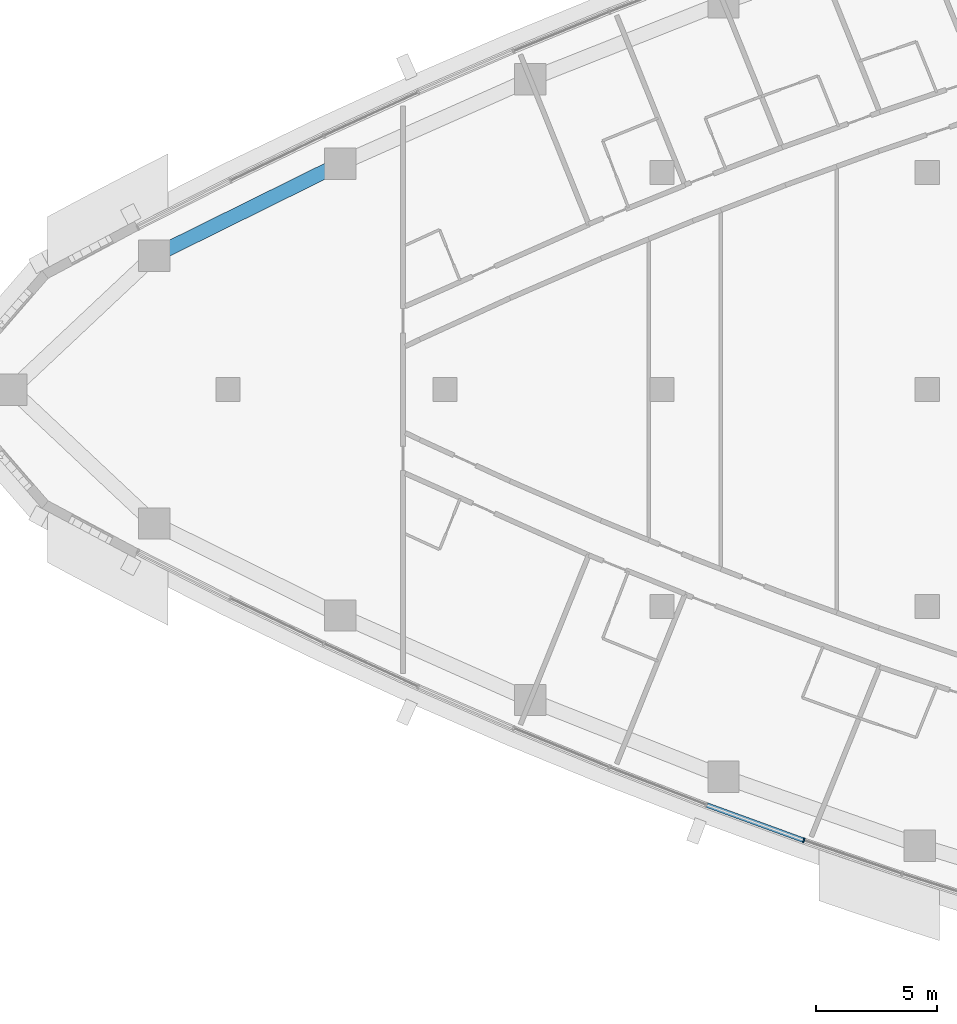
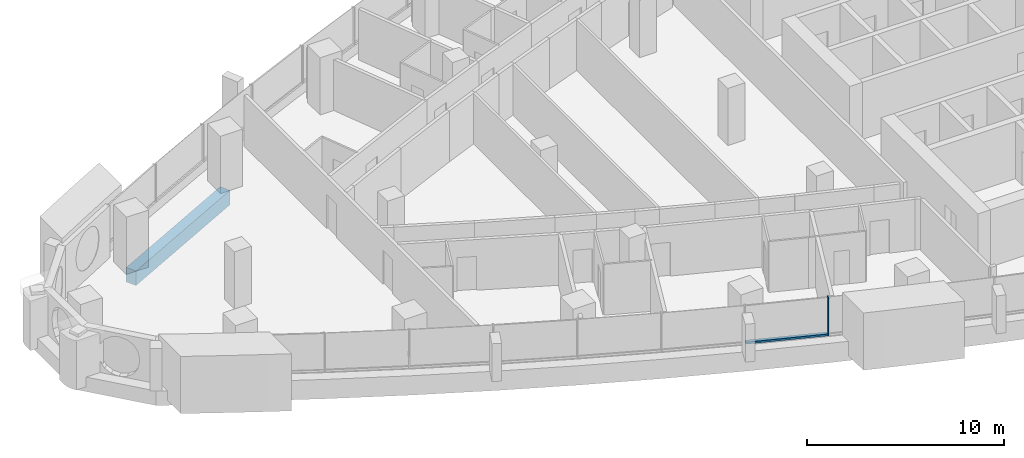
# One storey, part 3 of 17: 2 members, 1 beam, 1 element without a shape of its own.
"""IFC4 building model written with IfcOpenShell, lengths in metres."""

from ifc_helpers import new_model, si_unit, direction, frame, origin, origin_2d, place, context, subcontext, project, spatial, rectangle, extrude, material, layer, layer_set, material_profile, profile_set, type_object, element, aggregate, save


model = new_model("IFC4")

# Units and contexts
model_context = context("Model", 3, precision=1e-05, world=origin(), true_north=direction((0.0, 1.0)))
body_context = subcontext(model_context, "Body", "Model", "MODEL_VIEW")
ifc_project = project(units=[si_unit("LENGTHUNIT", "METRE"), si_unit("AREAUNIT", "SQUARE_METRE"), si_unit("VOLUMEUNIT", "CUBIC_METRE"), si_unit("PLANEANGLEUNIT", "RADIAN"), si_unit("MASSUNIT", "GRAM", prefix="KILO")], contexts=[model_context])

# Site, building, storey
site_placement = place(None, origin())
site = spatial("IfcSite", under=ifc_project, at=site_placement, CompositionType="ELEMENT")
building_placement = place(site_placement, origin())
building = spatial("IfcBuilding", under=site, at=building_placement, Name="Ostrand Prow Hotel Tower", CompositionType="ELEMENT")
storey_placement = place(building_placement, frame((0.0, 0.0, 207.449951171875)))
storey = spatial("IfcBuildingStorey", under=building, at=storey_placement, Name="L52", CompositionType="ELEMENT", Elevation=207.449951171875)

# Beam
ifc_material_1 = material(Name="Concrete C60/75", Category="concrete")
ifc_material_profile_1 = material_profile(ifc_material_1, rectangle(XDim=0.60009765625, YDim=0.89990234375, at=origin_2d()), Name="RC 600x900")
ifc_profile_set_1 = profile_set([ifc_material_profile_1], Name="Concrete C60/75")
beam_type = type_object("IfcBeamType", Name="Edge beam 600x900 C60/75", PredefinedType="SPANDREL", material=ifc_profile_set_1)
beam_placement = place(storey_placement, frame((20.656982421875, 9.373291015625, -0.75), z_axis=(-0.896383774903, -0.443278837856, 0.0), x_axis=(0.443278837856, -0.896383774903, 0.0)))
element("IfcBeam", 1, at=beam_placement, inside=storey, type_object=beam_type, Name="Edge beam N5-N6", PredefinedType="SPANDREL", context=body_context, shape_type="SweptSolid", body=[
    extrude(rectangle(XDim=0.60009765625, YDim=0.89990234375, at=origin_2d()), origin(), (0.0, 0.0, 1.0), 8.62158203125),
])

# Curtain wall, members
ifc_material_2 = material(Name="Insulated glass in bronze anodised frame", Category="glass")
ifc_layer = layer(ifc_material_2, 0.199951171875)
ifc_layer_set = layer_set([ifc_layer], Name="Insulated glass in bronze anodised frame")
curtain_wall_type = type_object("IfcCurtainWallType", Name="Strip curtain wall, fritted glass over bronze spandrel", PredefinedType="NOTDEFINED", material=ifc_layer_set)
curtain_wall_placement = place(storey_placement, origin())
curtain_wall = element("IfcCurtainWall", 2, at=curtain_wall_placement, inside=storey, type_object=curtain_wall_type, Name="CW1 run CWS4", PredefinedType="NOTDEFINED")
ifc_material_3 = material(Name="Bronze anodised aluminium", Category="aluminium")
ifc_material_profile_2 = material_profile(ifc_material_3, rectangle(XDim=0.199951171875, YDim=0.06005859375, at=origin_2d()), Name="Mullion 60x200 bronze anodised aluminium")
ifc_profile_set_2 = profile_set([ifc_material_profile_2], Name="Bronze anodised aluminium")
member_type_1 = type_object("IfcMemberType", Name="Mullion 60x200 bronze anodised aluminium", PredefinedType="MULLION", material=ifc_profile_set_2)
member_1_placement = place(storey_placement, frame((39.87939453125, -18.696533203125, 0.900146484375), z_axis=(0.0, 0.0, 1.0), x_axis=(0.322908332404, 0.946430245113, 0.0)))
member_1 = element("IfcMember", 3, at=member_1_placement, type_object=member_type_1, Name="CW1 mullion 2", PredefinedType="MULLION", context=body_context, shape_type="SweptSolid", body=[
    extrude(rectangle(XDim=0.199951171875, YDim=0.06005859375, at=origin_2d()), origin(), (0.0, 0.0, 1.0), 2.349853515625),
])
ifc_material_4 = material(Name="Bronze anodised aluminium", Category="aluminium")
ifc_material_profile_3 = material_profile(ifc_material_4, rectangle(XDim=0.199951171875, YDim=0.1201171875, at=origin_2d()), Name="Transom 120x200 bronze anodised aluminium")
ifc_profile_set_3 = profile_set([ifc_material_profile_3], Name="Bronze anodised aluminium")
member_type_2 = type_object("IfcMemberType", Name="Transom 120x200 bronze anodised aluminium", PredefinedType="USERDEFINED", material=ifc_profile_set_3)
member_2_placement = place(storey_placement, frame((35.86181640625, -17.235107421875, 0.9599609375), z_axis=(0.939753116272, -0.341853887584, 0.0), x_axis=(0.341853887584, 0.939753116272, 0.0)))
member_2 = element("IfcMember", 4, at=member_2_placement, type_object=member_type_2, Name="CW1 transom 1.1", ObjectType="TRANSOM", PredefinedType="USERDEFINED", context=body_context, shape_type="SweptSolid", body=[
    extrude(rectangle(XDim=0.199951171875, YDim=0.1201171875, at=origin_2d()), origin(), (0.0, 0.0, 1.0), 4.2451171875),
])
aggregate(curtain_wall, [member_1, member_2])

save(model, "model.ifc")
